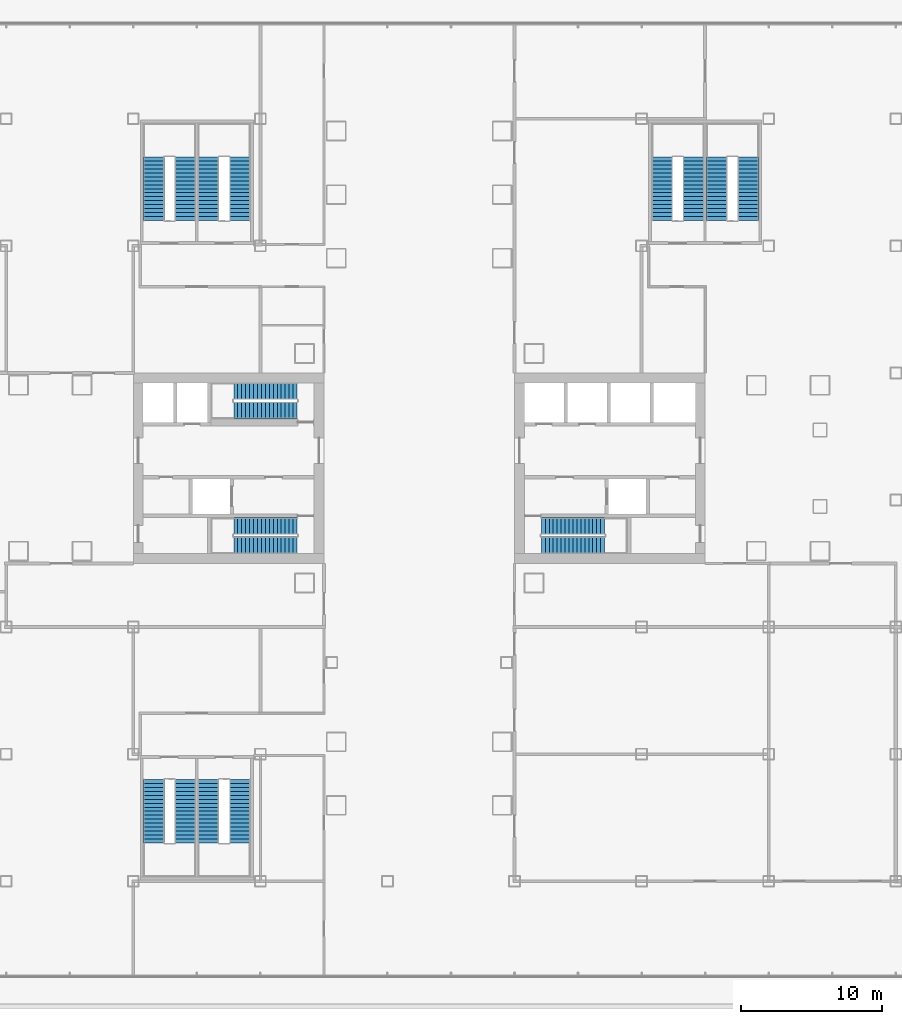
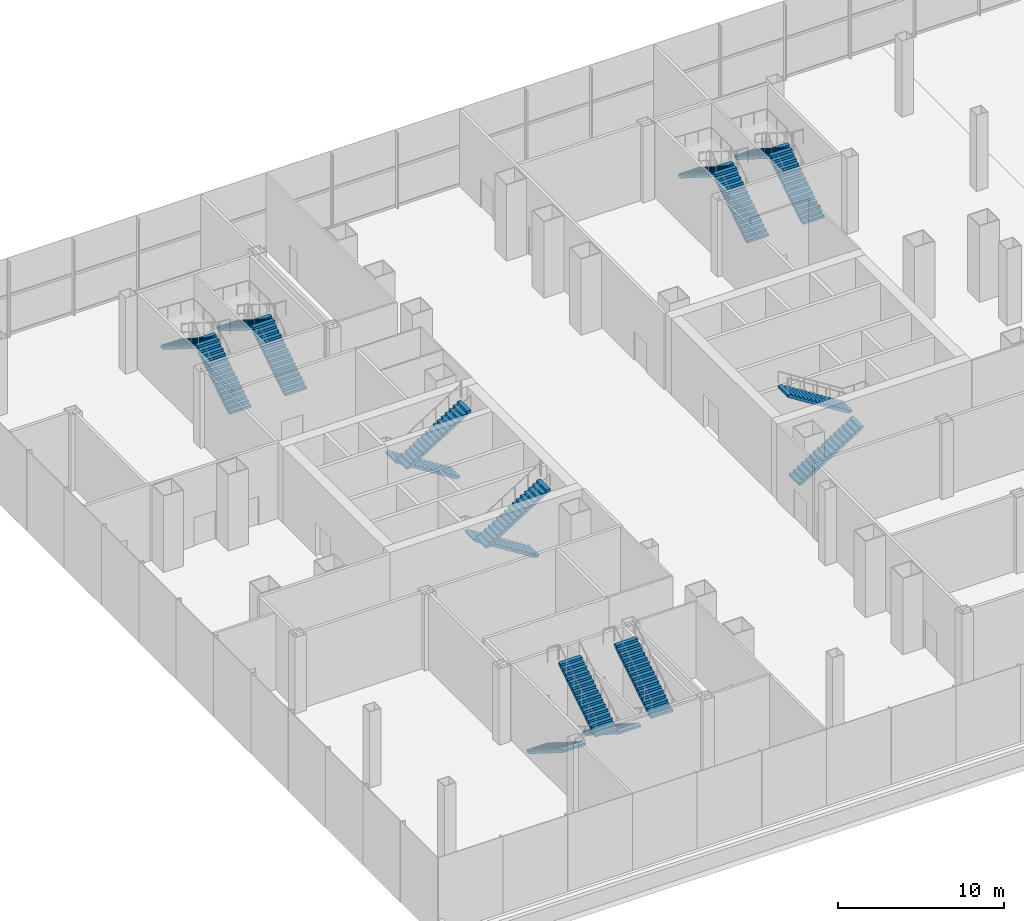
# One storey, part 32 of 38: 18 stair flights, 9 elements without a shape of their own.
"""IFC4 building model written with IfcOpenShell, lengths in metres."""

from ifc_helpers import new_model, si_unit, direction, frame, origin, place, context, subcontext, project, spatial, polyline, outline, extrude, material, type_object, element, aggregate, save


model = new_model("IFC4")

# Units and contexts
model_context = context("Model", 3, precision=1e-05, world=origin(), true_north=direction((0.0, 1.0)))
body_context = subcontext(model_context, "Body", "Model", "MODEL_VIEW")
ifc_project = project(units=[si_unit("LENGTHUNIT", "METRE"), si_unit("AREAUNIT", "SQUARE_METRE"), si_unit("VOLUMEUNIT", "CUBIC_METRE"), si_unit("PLANEANGLEUNIT", "RADIAN"), si_unit("MASSUNIT", "GRAM", prefix="KILO")], contexts=[model_context])

# Site, building, storey
site_placement = place(None, origin())
site = spatial("IfcSite", under=ifc_project, at=site_placement, CompositionType="ELEMENT")
building_placement = place(site_placement, origin())
building = spatial("IfcBuilding", under=site, at=building_placement, Name="Shamsa Quay Exchange Towers", CompositionType="ELEMENT")
storey_placement = place(building_placement, frame((0.0, 0.0, 12.5)))
storey = spatial("IfcBuildingStorey", under=building, at=storey_placement, Name="L02", CompositionType="ELEMENT", Elevation=12.5)

# Stair, stair flights
ifc_material = material(Name="Concrete C40/50", Category="concrete")
stair_type_1 = type_object("IfcStairType", Name="EXIT STAIR 34 RISERS 176 MM", PredefinedType="HALF_TURN_STAIR", material=ifc_material)
stair_1_placement = place(storey_placement, origin())
stair_1 = element("IfcStair", 1, at=stair_1_placement, inside=storey, type_object=stair_type_1, Name="L02 Exit stair ST1", PredefinedType="HALF_TURN_STAIR")
stair_flight_type_1 = type_object("IfcStairFlightType", Name="EXIT STAIR FLIGHT 17 RISERS 176 MM", PredefinedType="STRAIGHT", material=ifc_material)
stair_flight_1_placement = place(storey_placement, frame((-25.10009765625, -5.449951171875, 0.0)))
stair_flight_1 = element("IfcStairFlight", 2, at=stair_flight_1_placement, type_object=stair_flight_type_1, Name="ST1 flight 1", NumberOfRisers=17, NumberOfTreads=16, PredefinedType="STRAIGHT", RiserHeight=0.176470588, TreadLength=0.28, context=body_context, shape_type="SweptSolid", body=[
    extrude(outline(polyline([(0.0, 0.0), (0.0, 0.176513671875), (0.280029296875, 0.176513671875), (0.280029296875, 0.35302734375), (0.56005859375, 0.35302734375), (0.56005859375, 0.529296875), (0.840087890625, 0.529296875), (0.840087890625, 0.705810546875), (1.1201171875, 0.705810546875), (1.1201171875, 0.88232421875), (1.39990234375, 0.88232421875), (1.39990234375, 1.058837890625), (1.679931640625, 1.058837890625), (1.679931640625, 1.2353515625), (1.9599609375, 1.2353515625), (1.9599609375, 1.411865234375), (2.239990234375, 1.411865234375), (2.239990234375, 1.588134765625), (2.52001953125, 1.588134765625), (2.52001953125, 1.7646484375), (2.800048828125, 1.7646484375), (2.800048828125, 1.941162109375), (3.080078125, 1.941162109375), (3.080078125, 2.11767578125), (3.360107421875, 2.11767578125), (3.360107421875, 2.294189453125), (3.639892578125, 2.294189453125), (3.639892578125, 2.470703125), (3.919921875, 2.470703125), (3.919921875, 2.64697265625), (4.199951171875, 2.64697265625), (4.199951171875, 2.823486328125), (4.47998046875, 2.823486328125), (4.47998046875, 3.0), (4.47998046875, 2.658203125), (0.262451171875, 0.0), (0.0, 0.0)])), frame((0.0, 0.60009765625, 0.0), z_axis=(0.0, -1.0, 0.0), x_axis=(1.0, 0.0, 0.0)), (0.0, 0.0, 1.0), 1.199951171875),
])
stair_flight_2_placement = place(storey_placement, frame((-20.6201171875, -4.10009765625, 3.0), z_axis=(0.0, 0.0, 1.0), x_axis=(-1.0, 0.0, 0.0)))
stair_flight_2 = element("IfcStairFlight", 3, at=stair_flight_2_placement, type_object=stair_flight_type_1, Name="ST1 flight 2", NumberOfRisers=17, NumberOfTreads=16, PredefinedType="STRAIGHT", RiserHeight=0.176470588, TreadLength=0.28, context=body_context, shape_type="SweptSolid", body=[
    extrude(outline(polyline([(0.0, 0.0), (0.0, 0.176513671875), (0.280029296875, 0.176513671875), (0.280029296875, 0.35302734375), (0.56005859375, 0.35302734375), (0.56005859375, 0.529296875), (0.840087890625, 0.529296875), (0.840087890625, 0.705810546875), (1.1201171875, 0.705810546875), (1.1201171875, 0.88232421875), (1.39990234375, 0.88232421875), (1.39990234375, 1.058837890625), (1.679931640625, 1.058837890625), (1.679931640625, 1.2353515625), (1.9599609375, 1.2353515625), (1.9599609375, 1.411865234375), (2.239990234375, 1.411865234375), (2.239990234375, 1.588134765625), (2.52001953125, 1.588134765625), (2.52001953125, 1.7646484375), (2.800048828125, 1.7646484375), (2.800048828125, 1.941162109375), (3.080078125, 1.941162109375), (3.080078125, 2.11767578125), (3.360107421875, 2.11767578125), (3.360107421875, 2.294189453125), (3.639892578125, 2.294189453125), (3.639892578125, 2.470703125), (3.919921875, 2.470703125), (3.919921875, 2.64697265625), (4.199951171875, 2.64697265625), (4.199951171875, 2.823486328125), (4.47998046875, 2.823486328125), (4.47998046875, 3.0), (4.47998046875, 2.658203125), (0.262451171875, 0.0), (0.0, 0.0)])), frame((0.0, 0.60009765625, 0.0), z_axis=(0.0, -1.0, 0.0), x_axis=(1.0, 0.0, 0.0)), (0.0, 0.0, 1.0), 1.199951171875),
])
aggregate(stair_1, [stair_flight_1, stair_flight_2])

stair_2_placement = place(storey_placement, origin())
stair_2 = element("IfcStair", 4, at=stair_2_placement, inside=storey, type_object=stair_type_1, Name="L02 Exit stair ST2", PredefinedType="HALF_TURN_STAIR")
stair_flight_3_placement = place(storey_placement, frame((-42.39990234375, -4.10009765625, 0.0), z_axis=(0.0, 0.0, 1.0), x_axis=(-1.0, 0.0, 0.0)))
stair_flight_3 = element("IfcStairFlight", 5, at=stair_flight_3_placement, type_object=stair_flight_type_1, Name="ST2 flight 1", NumberOfRisers=17, NumberOfTreads=16, PredefinedType="STRAIGHT", RiserHeight=0.176470588, TreadLength=0.28, context=body_context, shape_type="SweptSolid", body=[
    extrude(outline(polyline([(0.0, 0.0), (0.0, 0.176513671875), (0.280029296875, 0.176513671875), (0.280029296875, 0.35302734375), (0.56005859375, 0.35302734375), (0.56005859375, 0.529296875), (0.840087890625, 0.529296875), (0.840087890625, 0.705810546875), (1.1201171875, 0.705810546875), (1.1201171875, 0.88232421875), (1.39990234375, 0.88232421875), (1.39990234375, 1.058837890625), (1.679931640625, 1.058837890625), (1.679931640625, 1.2353515625), (1.9599609375, 1.2353515625), (1.9599609375, 1.411865234375), (2.239990234375, 1.411865234375), (2.239990234375, 1.588134765625), (2.52001953125, 1.588134765625), (2.52001953125, 1.7646484375), (2.800048828125, 1.7646484375), (2.800048828125, 1.941162109375), (3.080078125, 1.941162109375), (3.080078125, 2.11767578125), (3.360107421875, 2.11767578125), (3.360107421875, 2.294189453125), (3.639892578125, 2.294189453125), (3.639892578125, 2.470703125), (3.919921875, 2.470703125), (3.919921875, 2.64697265625), (4.199951171875, 2.64697265625), (4.199951171875, 2.823486328125), (4.47998046875, 2.823486328125), (4.47998046875, 3.0), (4.47998046875, 2.658203125), (0.262451171875, 0.0), (0.0, 0.0)])), frame((0.0, 0.60009765625, 0.0), z_axis=(0.0, -1.0, 0.0), x_axis=(1.0, 0.0, 0.0)), (0.0, 0.0, 1.0), 1.199951171875),
])
stair_flight_4_placement = place(storey_placement, frame((-46.8798828125, -5.449951171875, 3.0)))
stair_flight_4 = element("IfcStairFlight", 6, at=stair_flight_4_placement, type_object=stair_flight_type_1, Name="ST2 flight 2", NumberOfRisers=17, NumberOfTreads=16, PredefinedType="STRAIGHT", RiserHeight=0.176470588, TreadLength=0.28, context=body_context, shape_type="SweptSolid", body=[
    extrude(outline(polyline([(0.0, 0.0), (0.0, 0.176513671875), (0.280029296875, 0.176513671875), (0.280029296875, 0.35302734375), (0.56005859375, 0.35302734375), (0.56005859375, 0.529296875), (0.840087890625, 0.529296875), (0.840087890625, 0.705810546875), (1.1201171875, 0.705810546875), (1.1201171875, 0.88232421875), (1.39990234375, 0.88232421875), (1.39990234375, 1.058837890625), (1.679931640625, 1.058837890625), (1.679931640625, 1.2353515625), (1.9599609375, 1.2353515625), (1.9599609375, 1.411865234375), (2.239990234375, 1.411865234375), (2.239990234375, 1.588134765625), (2.52001953125, 1.588134765625), (2.52001953125, 1.7646484375), (2.800048828125, 1.7646484375), (2.800048828125, 1.941162109375), (3.080078125, 1.941162109375), (3.080078125, 2.11767578125), (3.360107421875, 2.11767578125), (3.360107421875, 2.294189453125), (3.639892578125, 2.294189453125), (3.639892578125, 2.470703125), (3.919921875, 2.470703125), (3.919921875, 2.64697265625), (4.199951171875, 2.64697265625), (4.199951171875, 2.823486328125), (4.47998046875, 2.823486328125), (4.47998046875, 3.0), (4.47998046875, 2.658203125), (0.262451171875, 0.0), (0.0, 0.0)])), frame((0.0, 0.60009765625, 0.0), z_axis=(0.0, -1.0, 0.0), x_axis=(1.0, 0.0, 0.0)), (0.0, 0.0, 1.0), 1.199951171875),
])
aggregate(stair_2, [stair_flight_3, stair_flight_4])

stair_3_placement = place(storey_placement, origin())
stair_3 = element("IfcStair", 7, at=stair_3_placement, inside=storey, type_object=stair_type_1, Name="L02 Exit stair ST3", PredefinedType="HALF_TURN_STAIR")
stair_flight_5_placement = place(storey_placement, frame((-42.39990234375, 5.449951171875, 0.0), z_axis=(0.0, 0.0, 1.0), x_axis=(-1.0, 0.0, 0.0)))
stair_flight_5 = element("IfcStairFlight", 8, at=stair_flight_5_placement, type_object=stair_flight_type_1, Name="ST3 flight 1", NumberOfRisers=17, NumberOfTreads=16, PredefinedType="STRAIGHT", RiserHeight=0.176470588, TreadLength=0.28, context=body_context, shape_type="SweptSolid", body=[
    extrude(outline(polyline([(0.0, 0.0), (0.0, 0.176513671875), (0.280029296875, 0.176513671875), (0.280029296875, 0.35302734375), (0.56005859375, 0.35302734375), (0.56005859375, 0.529296875), (0.840087890625, 0.529296875), (0.840087890625, 0.705810546875), (1.1201171875, 0.705810546875), (1.1201171875, 0.88232421875), (1.39990234375, 0.88232421875), (1.39990234375, 1.058837890625), (1.679931640625, 1.058837890625), (1.679931640625, 1.2353515625), (1.9599609375, 1.2353515625), (1.9599609375, 1.411865234375), (2.239990234375, 1.411865234375), (2.239990234375, 1.588134765625), (2.52001953125, 1.588134765625), (2.52001953125, 1.7646484375), (2.800048828125, 1.7646484375), (2.800048828125, 1.941162109375), (3.080078125, 1.941162109375), (3.080078125, 2.11767578125), (3.360107421875, 2.11767578125), (3.360107421875, 2.294189453125), (3.639892578125, 2.294189453125), (3.639892578125, 2.470703125), (3.919921875, 2.470703125), (3.919921875, 2.64697265625), (4.199951171875, 2.64697265625), (4.199951171875, 2.823486328125), (4.47998046875, 2.823486328125), (4.47998046875, 3.0), (4.47998046875, 2.658203125), (0.262451171875, 0.0), (0.0, 0.0)])), frame((0.0, 0.60009765625, 0.0), z_axis=(0.0, -1.0, 0.0), x_axis=(1.0, 0.0, 0.0)), (0.0, 0.0, 1.0), 1.199951171875),
])
stair_flight_6_placement = place(storey_placement, frame((-46.8798828125, 4.10009765625, 3.0)))
stair_flight_6 = element("IfcStairFlight", 9, at=stair_flight_6_placement, type_object=stair_flight_type_1, Name="ST3 flight 2", NumberOfRisers=17, NumberOfTreads=16, PredefinedType="STRAIGHT", RiserHeight=0.176470588, TreadLength=0.28, context=body_context, shape_type="SweptSolid", body=[
    extrude(outline(polyline([(0.0, 0.0), (0.0, 0.176513671875), (0.280029296875, 0.176513671875), (0.280029296875, 0.35302734375), (0.56005859375, 0.35302734375), (0.56005859375, 0.529296875), (0.840087890625, 0.529296875), (0.840087890625, 0.705810546875), (1.1201171875, 0.705810546875), (1.1201171875, 0.88232421875), (1.39990234375, 0.88232421875), (1.39990234375, 1.058837890625), (1.679931640625, 1.058837890625), (1.679931640625, 1.2353515625), (1.9599609375, 1.2353515625), (1.9599609375, 1.411865234375), (2.239990234375, 1.411865234375), (2.239990234375, 1.588134765625), (2.52001953125, 1.588134765625), (2.52001953125, 1.7646484375), (2.800048828125, 1.7646484375), (2.800048828125, 1.941162109375), (3.080078125, 1.941162109375), (3.080078125, 2.11767578125), (3.360107421875, 2.11767578125), (3.360107421875, 2.294189453125), (3.639892578125, 2.294189453125), (3.639892578125, 2.470703125), (3.919921875, 2.470703125), (3.919921875, 2.64697265625), (4.199951171875, 2.64697265625), (4.199951171875, 2.823486328125), (4.47998046875, 2.823486328125), (4.47998046875, 3.0), (4.47998046875, 2.658203125), (0.262451171875, 0.0), (0.0, 0.0)])), frame((0.0, 0.60009765625, 0.0), z_axis=(0.0, -1.0, 0.0), x_axis=(1.0, 0.0, 0.0)), (0.0, 0.0, 1.0), 1.199951171875),
])
aggregate(stair_3, [stair_flight_5, stair_flight_6])

stair_type_2 = type_object("IfcStairType", Name="PODIUM EXIT STAIR 34 RISERS 176 MM 1500 WIDE", PredefinedType="HALF_TURN_STAIR", material=ifc_material)
stair_4_placement = place(storey_placement, origin())
stair_4 = element("IfcStair", 10, at=stair_4_placement, inside=storey, type_object=stair_type_2, Name="L02 Exit stair PS1A", PredefinedType="HALF_TURN_STAIR")
stair_flight_type_2 = type_object("IfcStairFlightType", Name="PODIUM EXIT STAIR FLIGHT 17 RISERS 176 MM 1500 WIDE", PredefinedType="STRAIGHT", material=ifc_material)
stair_flight_7_placement = place(storey_placement, frame((-50.324951171875, 17.550048828125, 0.0), z_axis=(0.0, 0.0, 1.0), x_axis=(0.0, 1.0, 0.0)))
stair_flight_7 = element("IfcStairFlight", 11, at=stair_flight_7_placement, type_object=stair_flight_type_2, Name="PS1A flight 1", NumberOfRisers=17, NumberOfTreads=16, PredefinedType="STRAIGHT", RiserHeight=0.176470588, TreadLength=0.28, context=body_context, shape_type="SweptSolid", body=[
    extrude(outline(polyline([(0.0, 0.0), (0.0, 0.176513671875), (0.280029296875, 0.176513671875), (0.280029296875, 0.35302734375), (0.56005859375, 0.35302734375), (0.56005859375, 0.529296875), (0.840087890625, 0.529296875), (0.840087890625, 0.705810546875), (1.1201171875, 0.705810546875), (1.1201171875, 0.88232421875), (1.39990234375, 0.88232421875), (1.39990234375, 1.058837890625), (1.679931640625, 1.058837890625), (1.679931640625, 1.2353515625), (1.9599609375, 1.2353515625), (1.9599609375, 1.411865234375), (2.239990234375, 1.411865234375), (2.239990234375, 1.588134765625), (2.52001953125, 1.588134765625), (2.52001953125, 1.7646484375), (2.800048828125, 1.7646484375), (2.800048828125, 1.941162109375), (3.080078125, 1.941162109375), (3.080078125, 2.11767578125), (3.360107421875, 2.11767578125), (3.360107421875, 2.294189453125), (3.639892578125, 2.294189453125), (3.639892578125, 2.470703125), (3.919921875, 2.470703125), (3.919921875, 2.64697265625), (4.199951171875, 2.64697265625), (4.199951171875, 2.823486328125), (4.47998046875, 2.823486328125), (4.47998046875, 3.0), (4.47998046875, 2.646240234375), (0.28125, 0.0), (0.0, 0.0)])), frame((0.0, 0.75, 0.0), z_axis=(0.0, -1.0, 0.0), x_axis=(1.0, 0.0, 0.0)), (0.0, 0.0, 1.0), 1.5),
])
stair_flight_8_placement = place(storey_placement, frame((-52.550048828125, 22.030029296875, 3.0), z_axis=(0.0, 0.0, 1.0), x_axis=(0.0, -1.0, 0.0)))
stair_flight_8 = element("IfcStairFlight", 12, at=stair_flight_8_placement, type_object=stair_flight_type_2, Name="PS1A flight 2", NumberOfRisers=17, NumberOfTreads=16, PredefinedType="STRAIGHT", RiserHeight=0.176470588, TreadLength=0.28, context=body_context, shape_type="SweptSolid", body=[
    extrude(outline(polyline([(0.0, 0.0), (0.0, 0.176513671875), (0.280029296875, 0.176513671875), (0.280029296875, 0.35302734375), (0.56005859375, 0.35302734375), (0.56005859375, 0.529296875), (0.840087890625, 0.529296875), (0.840087890625, 0.705810546875), (1.1201171875, 0.705810546875), (1.1201171875, 0.88232421875), (1.39990234375, 0.88232421875), (1.39990234375, 1.058837890625), (1.679931640625, 1.058837890625), (1.679931640625, 1.2353515625), (1.9599609375, 1.2353515625), (1.9599609375, 1.411865234375), (2.239990234375, 1.411865234375), (2.239990234375, 1.588134765625), (2.52001953125, 1.588134765625), (2.52001953125, 1.7646484375), (2.800048828125, 1.7646484375), (2.800048828125, 1.941162109375), (3.080078125, 1.941162109375), (3.080078125, 2.11767578125), (3.360107421875, 2.11767578125), (3.360107421875, 2.294189453125), (3.639892578125, 2.294189453125), (3.639892578125, 2.470703125), (3.919921875, 2.470703125), (3.919921875, 2.64697265625), (4.199951171875, 2.64697265625), (4.199951171875, 2.823486328125), (4.47998046875, 2.823486328125), (4.47998046875, 3.0), (4.47998046875, 2.646240234375), (0.28125, 0.0), (0.0, 0.0)])), frame((0.0, 0.75, 0.0), z_axis=(0.0, -1.0, 0.0), x_axis=(1.0, 0.0, 0.0)), (0.0, 0.0, 1.0), 1.5),
])
aggregate(stair_4, [stair_flight_7, stair_flight_8])

stair_5_placement = place(storey_placement, origin())
stair_5 = element("IfcStair", 13, at=stair_5_placement, inside=storey, type_object=stair_type_2, Name="L02 Exit stair PS1B", PredefinedType="HALF_TURN_STAIR")
stair_flight_9_placement = place(storey_placement, frame((-46.449951171875, 17.550048828125, 0.0), z_axis=(0.0, 0.0, 1.0), x_axis=(0.0, 1.0, 0.0)))
stair_flight_9 = element("IfcStairFlight", 14, at=stair_flight_9_placement, type_object=stair_flight_type_2, Name="PS1B flight 1", NumberOfRisers=17, NumberOfTreads=16, PredefinedType="STRAIGHT", RiserHeight=0.176470588, TreadLength=0.28, context=body_context, shape_type="SweptSolid", body=[
    extrude(outline(polyline([(0.0, 0.0), (0.0, 0.176513671875), (0.280029296875, 0.176513671875), (0.280029296875, 0.35302734375), (0.56005859375, 0.35302734375), (0.56005859375, 0.529296875), (0.840087890625, 0.529296875), (0.840087890625, 0.705810546875), (1.1201171875, 0.705810546875), (1.1201171875, 0.88232421875), (1.39990234375, 0.88232421875), (1.39990234375, 1.058837890625), (1.679931640625, 1.058837890625), (1.679931640625, 1.2353515625), (1.9599609375, 1.2353515625), (1.9599609375, 1.411865234375), (2.239990234375, 1.411865234375), (2.239990234375, 1.588134765625), (2.52001953125, 1.588134765625), (2.52001953125, 1.7646484375), (2.800048828125, 1.7646484375), (2.800048828125, 1.941162109375), (3.080078125, 1.941162109375), (3.080078125, 2.11767578125), (3.360107421875, 2.11767578125), (3.360107421875, 2.294189453125), (3.639892578125, 2.294189453125), (3.639892578125, 2.470703125), (3.919921875, 2.470703125), (3.919921875, 2.64697265625), (4.199951171875, 2.64697265625), (4.199951171875, 2.823486328125), (4.47998046875, 2.823486328125), (4.47998046875, 3.0), (4.47998046875, 2.646240234375), (0.28125, 0.0), (0.0, 0.0)])), frame((0.0, 0.75, 0.0), z_axis=(0.0, -1.0, 0.0), x_axis=(1.0, 0.0, 0.0)), (0.0, 0.0, 1.0), 1.5),
])
stair_flight_10_placement = place(storey_placement, frame((-48.675048828125, 22.030029296875, 3.0), z_axis=(0.0, 0.0, 1.0), x_axis=(0.0, -1.0, 0.0)))
stair_flight_10 = element("IfcStairFlight", 15, at=stair_flight_10_placement, type_object=stair_flight_type_2, Name="PS1B flight 2", NumberOfRisers=17, NumberOfTreads=16, PredefinedType="STRAIGHT", RiserHeight=0.176470588, TreadLength=0.28, context=body_context, shape_type="SweptSolid", body=[
    extrude(outline(polyline([(0.0, 0.0), (0.0, 0.176513671875), (0.280029296875, 0.176513671875), (0.280029296875, 0.35302734375), (0.56005859375, 0.35302734375), (0.56005859375, 0.529296875), (0.840087890625, 0.529296875), (0.840087890625, 0.705810546875), (1.1201171875, 0.705810546875), (1.1201171875, 0.88232421875), (1.39990234375, 0.88232421875), (1.39990234375, 1.058837890625), (1.679931640625, 1.058837890625), (1.679931640625, 1.2353515625), (1.9599609375, 1.2353515625), (1.9599609375, 1.411865234375), (2.239990234375, 1.411865234375), (2.239990234375, 1.588134765625), (2.52001953125, 1.588134765625), (2.52001953125, 1.7646484375), (2.800048828125, 1.7646484375), (2.800048828125, 1.941162109375), (3.080078125, 1.941162109375), (3.080078125, 2.11767578125), (3.360107421875, 2.11767578125), (3.360107421875, 2.294189453125), (3.639892578125, 2.294189453125), (3.639892578125, 2.470703125), (3.919921875, 2.470703125), (3.919921875, 2.64697265625), (4.199951171875, 2.64697265625), (4.199951171875, 2.823486328125), (4.47998046875, 2.823486328125), (4.47998046875, 3.0), (4.47998046875, 2.646240234375), (0.28125, 0.0), (0.0, 0.0)])), frame((0.0, 0.75, 0.0), z_axis=(0.0, -1.0, 0.0), x_axis=(1.0, 0.0, 0.0)), (0.0, 0.0, 1.0), 1.5),
])
aggregate(stair_5, [stair_flight_9, stair_flight_10])

stair_6_placement = place(storey_placement, origin())
stair_6 = element("IfcStair", 16, at=stair_6_placement, inside=storey, type_object=stair_type_2, Name="L02 Exit stair PS2A", PredefinedType="HALF_TURN_STAIR")
stair_flight_11_placement = place(storey_placement, frame((-14.324951171875, 17.550048828125, 0.0), z_axis=(0.0, 0.0, 1.0), x_axis=(0.0, 1.0, 0.0)))
stair_flight_11 = element("IfcStairFlight", 17, at=stair_flight_11_placement, type_object=stair_flight_type_2, Name="PS2A flight 1", NumberOfRisers=17, NumberOfTreads=16, PredefinedType="STRAIGHT", RiserHeight=0.176470588, TreadLength=0.28, context=body_context, shape_type="SweptSolid", body=[
    extrude(outline(polyline([(0.0, 0.0), (0.0, 0.176513671875), (0.280029296875, 0.176513671875), (0.280029296875, 0.35302734375), (0.56005859375, 0.35302734375), (0.56005859375, 0.529296875), (0.840087890625, 0.529296875), (0.840087890625, 0.705810546875), (1.1201171875, 0.705810546875), (1.1201171875, 0.88232421875), (1.39990234375, 0.88232421875), (1.39990234375, 1.058837890625), (1.679931640625, 1.058837890625), (1.679931640625, 1.2353515625), (1.9599609375, 1.2353515625), (1.9599609375, 1.411865234375), (2.239990234375, 1.411865234375), (2.239990234375, 1.588134765625), (2.52001953125, 1.588134765625), (2.52001953125, 1.7646484375), (2.800048828125, 1.7646484375), (2.800048828125, 1.941162109375), (3.080078125, 1.941162109375), (3.080078125, 2.11767578125), (3.360107421875, 2.11767578125), (3.360107421875, 2.294189453125), (3.639892578125, 2.294189453125), (3.639892578125, 2.470703125), (3.919921875, 2.470703125), (3.919921875, 2.64697265625), (4.199951171875, 2.64697265625), (4.199951171875, 2.823486328125), (4.47998046875, 2.823486328125), (4.47998046875, 3.0), (4.47998046875, 2.646240234375), (0.28125, 0.0), (0.0, 0.0)])), frame((0.0, 0.75, 0.0), z_axis=(0.0, -1.0, 0.0), x_axis=(1.0, 0.0, 0.0)), (0.0, 0.0, 1.0), 1.5),
])
stair_flight_12_placement = place(storey_placement, frame((-16.550048828125, 22.030029296875, 3.0), z_axis=(0.0, 0.0, 1.0), x_axis=(0.0, -1.0, 0.0)))
stair_flight_12 = element("IfcStairFlight", 18, at=stair_flight_12_placement, type_object=stair_flight_type_2, Name="PS2A flight 2", NumberOfRisers=17, NumberOfTreads=16, PredefinedType="STRAIGHT", RiserHeight=0.176470588, TreadLength=0.28, context=body_context, shape_type="SweptSolid", body=[
    extrude(outline(polyline([(0.0, 0.0), (0.0, 0.176513671875), (0.280029296875, 0.176513671875), (0.280029296875, 0.35302734375), (0.56005859375, 0.35302734375), (0.56005859375, 0.529296875), (0.840087890625, 0.529296875), (0.840087890625, 0.705810546875), (1.1201171875, 0.705810546875), (1.1201171875, 0.88232421875), (1.39990234375, 0.88232421875), (1.39990234375, 1.058837890625), (1.679931640625, 1.058837890625), (1.679931640625, 1.2353515625), (1.9599609375, 1.2353515625), (1.9599609375, 1.411865234375), (2.239990234375, 1.411865234375), (2.239990234375, 1.588134765625), (2.52001953125, 1.588134765625), (2.52001953125, 1.7646484375), (2.800048828125, 1.7646484375), (2.800048828125, 1.941162109375), (3.080078125, 1.941162109375), (3.080078125, 2.11767578125), (3.360107421875, 2.11767578125), (3.360107421875, 2.294189453125), (3.639892578125, 2.294189453125), (3.639892578125, 2.470703125), (3.919921875, 2.470703125), (3.919921875, 2.64697265625), (4.199951171875, 2.64697265625), (4.199951171875, 2.823486328125), (4.47998046875, 2.823486328125), (4.47998046875, 3.0), (4.47998046875, 2.646240234375), (0.28125, 0.0), (0.0, 0.0)])), frame((0.0, 0.75, 0.0), z_axis=(0.0, -1.0, 0.0), x_axis=(1.0, 0.0, 0.0)), (0.0, 0.0, 1.0), 1.5),
])
aggregate(stair_6, [stair_flight_11, stair_flight_12])

stair_7_placement = place(storey_placement, origin())
stair_7 = element("IfcStair", 19, at=stair_7_placement, inside=storey, type_object=stair_type_2, Name="L02 Exit stair PS2B", PredefinedType="HALF_TURN_STAIR")
stair_flight_13_placement = place(storey_placement, frame((-10.449951171875, 17.550048828125, 0.0), z_axis=(0.0, 0.0, 1.0), x_axis=(0.0, 1.0, 0.0)))
stair_flight_13 = element("IfcStairFlight", 20, at=stair_flight_13_placement, type_object=stair_flight_type_2, Name="PS2B flight 1", NumberOfRisers=17, NumberOfTreads=16, PredefinedType="STRAIGHT", RiserHeight=0.176470588, TreadLength=0.28, context=body_context, shape_type="SweptSolid", body=[
    extrude(outline(polyline([(0.0, 0.0), (0.0, 0.176513671875), (0.280029296875, 0.176513671875), (0.280029296875, 0.35302734375), (0.56005859375, 0.35302734375), (0.56005859375, 0.529296875), (0.840087890625, 0.529296875), (0.840087890625, 0.705810546875), (1.1201171875, 0.705810546875), (1.1201171875, 0.88232421875), (1.39990234375, 0.88232421875), (1.39990234375, 1.058837890625), (1.679931640625, 1.058837890625), (1.679931640625, 1.2353515625), (1.9599609375, 1.2353515625), (1.9599609375, 1.411865234375), (2.239990234375, 1.411865234375), (2.239990234375, 1.588134765625), (2.52001953125, 1.588134765625), (2.52001953125, 1.7646484375), (2.800048828125, 1.7646484375), (2.800048828125, 1.941162109375), (3.080078125, 1.941162109375), (3.080078125, 2.11767578125), (3.360107421875, 2.11767578125), (3.360107421875, 2.294189453125), (3.639892578125, 2.294189453125), (3.639892578125, 2.470703125), (3.919921875, 2.470703125), (3.919921875, 2.64697265625), (4.199951171875, 2.64697265625), (4.199951171875, 2.823486328125), (4.47998046875, 2.823486328125), (4.47998046875, 3.0), (4.47998046875, 2.646240234375), (0.28125, 0.0), (0.0, 0.0)])), frame((0.0, 0.75, 0.0), z_axis=(0.0, -1.0, 0.0), x_axis=(1.0, 0.0, 0.0)), (0.0, 0.0, 1.0), 1.5),
])
stair_flight_14_placement = place(storey_placement, frame((-12.675048828125, 22.030029296875, 3.0), z_axis=(0.0, 0.0, 1.0), x_axis=(0.0, -1.0, 0.0)))
stair_flight_14 = element("IfcStairFlight", 21, at=stair_flight_14_placement, type_object=stair_flight_type_2, Name="PS2B flight 2", NumberOfRisers=17, NumberOfTreads=16, PredefinedType="STRAIGHT", RiserHeight=0.176470588, TreadLength=0.28, context=body_context, shape_type="SweptSolid", body=[
    extrude(outline(polyline([(0.0, 0.0), (0.0, 0.176513671875), (0.280029296875, 0.176513671875), (0.280029296875, 0.35302734375), (0.56005859375, 0.35302734375), (0.56005859375, 0.529296875), (0.840087890625, 0.529296875), (0.840087890625, 0.705810546875), (1.1201171875, 0.705810546875), (1.1201171875, 0.88232421875), (1.39990234375, 0.88232421875), (1.39990234375, 1.058837890625), (1.679931640625, 1.058837890625), (1.679931640625, 1.2353515625), (1.9599609375, 1.2353515625), (1.9599609375, 1.411865234375), (2.239990234375, 1.411865234375), (2.239990234375, 1.588134765625), (2.52001953125, 1.588134765625), (2.52001953125, 1.7646484375), (2.800048828125, 1.7646484375), (2.800048828125, 1.941162109375), (3.080078125, 1.941162109375), (3.080078125, 2.11767578125), (3.360107421875, 2.11767578125), (3.360107421875, 2.294189453125), (3.639892578125, 2.294189453125), (3.639892578125, 2.470703125), (3.919921875, 2.470703125), (3.919921875, 2.64697265625), (4.199951171875, 2.64697265625), (4.199951171875, 2.823486328125), (4.47998046875, 2.823486328125), (4.47998046875, 3.0), (4.47998046875, 2.646240234375), (0.28125, 0.0), (0.0, 0.0)])), frame((0.0, 0.75, 0.0), z_axis=(0.0, -1.0, 0.0), x_axis=(1.0, 0.0, 0.0)), (0.0, 0.0, 1.0), 1.5),
])
aggregate(stair_7, [stair_flight_13, stair_flight_14])

stair_8_placement = place(storey_placement, origin())
stair_8 = element("IfcStair", 22, at=stair_8_placement, inside=storey, type_object=stair_type_2, Name="L02 Exit stair PS5A", PredefinedType="HALF_TURN_STAIR")
stair_flight_15_placement = place(storey_placement, frame((-52.550048828125, -22.050048828125, 0.0), z_axis=(0.0, 0.0, 1.0), x_axis=(0.0, -1.0, 0.0)))
stair_flight_15 = element("IfcStairFlight", 23, at=stair_flight_15_placement, type_object=stair_flight_type_2, Name="PS5A flight 1", NumberOfRisers=17, NumberOfTreads=16, PredefinedType="STRAIGHT", RiserHeight=0.176470588, TreadLength=0.28, context=body_context, shape_type="SweptSolid", body=[
    extrude(outline(polyline([(0.0, 0.0), (0.0, 0.176513671875), (0.280029296875, 0.176513671875), (0.280029296875, 0.35302734375), (0.56005859375, 0.35302734375), (0.56005859375, 0.529296875), (0.840087890625, 0.529296875), (0.840087890625, 0.705810546875), (1.1201171875, 0.705810546875), (1.1201171875, 0.88232421875), (1.39990234375, 0.88232421875), (1.39990234375, 1.058837890625), (1.679931640625, 1.058837890625), (1.679931640625, 1.2353515625), (1.9599609375, 1.2353515625), (1.9599609375, 1.411865234375), (2.239990234375, 1.411865234375), (2.239990234375, 1.588134765625), (2.52001953125, 1.588134765625), (2.52001953125, 1.7646484375), (2.800048828125, 1.7646484375), (2.800048828125, 1.941162109375), (3.080078125, 1.941162109375), (3.080078125, 2.11767578125), (3.360107421875, 2.11767578125), (3.360107421875, 2.294189453125), (3.639892578125, 2.294189453125), (3.639892578125, 2.470703125), (3.919921875, 2.470703125), (3.919921875, 2.64697265625), (4.199951171875, 2.64697265625), (4.199951171875, 2.823486328125), (4.47998046875, 2.823486328125), (4.47998046875, 3.0), (4.47998046875, 2.646240234375), (0.28125, 0.0), (0.0, 0.0)])), frame((0.0, 0.75, 0.0), z_axis=(0.0, -1.0, 0.0), x_axis=(1.0, 0.0, 0.0)), (0.0, 0.0, 1.0), 1.5),
])
stair_flight_16_placement = place(storey_placement, frame((-50.324951171875, -26.530029296875, 3.0), z_axis=(0.0, 0.0, 1.0), x_axis=(0.0, 1.0, 0.0)))
stair_flight_16 = element("IfcStairFlight", 24, at=stair_flight_16_placement, type_object=stair_flight_type_2, Name="PS5A flight 2", NumberOfRisers=17, NumberOfTreads=16, PredefinedType="STRAIGHT", RiserHeight=0.176470588, TreadLength=0.28, context=body_context, shape_type="SweptSolid", body=[
    extrude(outline(polyline([(0.0, 0.0), (0.0, 0.176513671875), (0.280029296875, 0.176513671875), (0.280029296875, 0.35302734375), (0.56005859375, 0.35302734375), (0.56005859375, 0.529296875), (0.840087890625, 0.529296875), (0.840087890625, 0.705810546875), (1.1201171875, 0.705810546875), (1.1201171875, 0.88232421875), (1.39990234375, 0.88232421875), (1.39990234375, 1.058837890625), (1.679931640625, 1.058837890625), (1.679931640625, 1.2353515625), (1.9599609375, 1.2353515625), (1.9599609375, 1.411865234375), (2.239990234375, 1.411865234375), (2.239990234375, 1.588134765625), (2.52001953125, 1.588134765625), (2.52001953125, 1.7646484375), (2.800048828125, 1.7646484375), (2.800048828125, 1.941162109375), (3.080078125, 1.941162109375), (3.080078125, 2.11767578125), (3.360107421875, 2.11767578125), (3.360107421875, 2.294189453125), (3.639892578125, 2.294189453125), (3.639892578125, 2.470703125), (3.919921875, 2.470703125), (3.919921875, 2.64697265625), (4.199951171875, 2.64697265625), (4.199951171875, 2.823486328125), (4.47998046875, 2.823486328125), (4.47998046875, 3.0), (4.47998046875, 2.646240234375), (0.28125, 0.0), (0.0, 0.0)])), frame((0.0, 0.75, 0.0), z_axis=(0.0, -1.0, 0.0), x_axis=(1.0, 0.0, 0.0)), (0.0, 0.0, 1.0), 1.5),
])
aggregate(stair_8, [stair_flight_15, stair_flight_16])

stair_9_placement = place(storey_placement, origin())
stair_9 = element("IfcStair", 25, at=stair_9_placement, inside=storey, type_object=stair_type_2, Name="L02 Exit stair PS5B", PredefinedType="HALF_TURN_STAIR")
stair_flight_17_placement = place(storey_placement, frame((-48.675048828125, -22.050048828125, 0.0), z_axis=(0.0, 0.0, 1.0), x_axis=(0.0, -1.0, 0.0)))
stair_flight_17 = element("IfcStairFlight", 26, at=stair_flight_17_placement, type_object=stair_flight_type_2, Name="PS5B flight 1", NumberOfRisers=17, NumberOfTreads=16, PredefinedType="STRAIGHT", RiserHeight=0.176470588, TreadLength=0.28, context=body_context, shape_type="SweptSolid", body=[
    extrude(outline(polyline([(0.0, 0.0), (0.0, 0.176513671875), (0.280029296875, 0.176513671875), (0.280029296875, 0.35302734375), (0.56005859375, 0.35302734375), (0.56005859375, 0.529296875), (0.840087890625, 0.529296875), (0.840087890625, 0.705810546875), (1.1201171875, 0.705810546875), (1.1201171875, 0.88232421875), (1.39990234375, 0.88232421875), (1.39990234375, 1.058837890625), (1.679931640625, 1.058837890625), (1.679931640625, 1.2353515625), (1.9599609375, 1.2353515625), (1.9599609375, 1.411865234375), (2.239990234375, 1.411865234375), (2.239990234375, 1.588134765625), (2.52001953125, 1.588134765625), (2.52001953125, 1.7646484375), (2.800048828125, 1.7646484375), (2.800048828125, 1.941162109375), (3.080078125, 1.941162109375), (3.080078125, 2.11767578125), (3.360107421875, 2.11767578125), (3.360107421875, 2.294189453125), (3.639892578125, 2.294189453125), (3.639892578125, 2.470703125), (3.919921875, 2.470703125), (3.919921875, 2.64697265625), (4.199951171875, 2.64697265625), (4.199951171875, 2.823486328125), (4.47998046875, 2.823486328125), (4.47998046875, 3.0), (4.47998046875, 2.646240234375), (0.28125, 0.0), (0.0, 0.0)])), frame((0.0, 0.75, 0.0), z_axis=(0.0, -1.0, 0.0), x_axis=(1.0, 0.0, 0.0)), (0.0, 0.0, 1.0), 1.5),
])
stair_flight_18_placement = place(storey_placement, frame((-46.449951171875, -26.530029296875, 3.0), z_axis=(0.0, 0.0, 1.0), x_axis=(0.0, 1.0, 0.0)))
stair_flight_18 = element("IfcStairFlight", 27, at=stair_flight_18_placement, type_object=stair_flight_type_2, Name="PS5B flight 2", NumberOfRisers=17, NumberOfTreads=16, PredefinedType="STRAIGHT", RiserHeight=0.176470588, TreadLength=0.28, context=body_context, shape_type="SweptSolid", body=[
    extrude(outline(polyline([(0.0, 0.0), (0.0, 0.176513671875), (0.280029296875, 0.176513671875), (0.280029296875, 0.35302734375), (0.56005859375, 0.35302734375), (0.56005859375, 0.529296875), (0.840087890625, 0.529296875), (0.840087890625, 0.705810546875), (1.1201171875, 0.705810546875), (1.1201171875, 0.88232421875), (1.39990234375, 0.88232421875), (1.39990234375, 1.058837890625), (1.679931640625, 1.058837890625), (1.679931640625, 1.2353515625), (1.9599609375, 1.2353515625), (1.9599609375, 1.411865234375), (2.239990234375, 1.411865234375), (2.239990234375, 1.588134765625), (2.52001953125, 1.588134765625), (2.52001953125, 1.7646484375), (2.800048828125, 1.7646484375), (2.800048828125, 1.941162109375), (3.080078125, 1.941162109375), (3.080078125, 2.11767578125), (3.360107421875, 2.11767578125), (3.360107421875, 2.294189453125), (3.639892578125, 2.294189453125), (3.639892578125, 2.470703125), (3.919921875, 2.470703125), (3.919921875, 2.64697265625), (4.199951171875, 2.64697265625), (4.199951171875, 2.823486328125), (4.47998046875, 2.823486328125), (4.47998046875, 3.0), (4.47998046875, 2.646240234375), (0.28125, 0.0), (0.0, 0.0)])), frame((0.0, 0.75, 0.0), z_axis=(0.0, -1.0, 0.0), x_axis=(1.0, 0.0, 0.0)), (0.0, 0.0, 1.0), 1.5),
])
aggregate(stair_9, [stair_flight_17, stair_flight_18])

save(model, "model.ifc")
